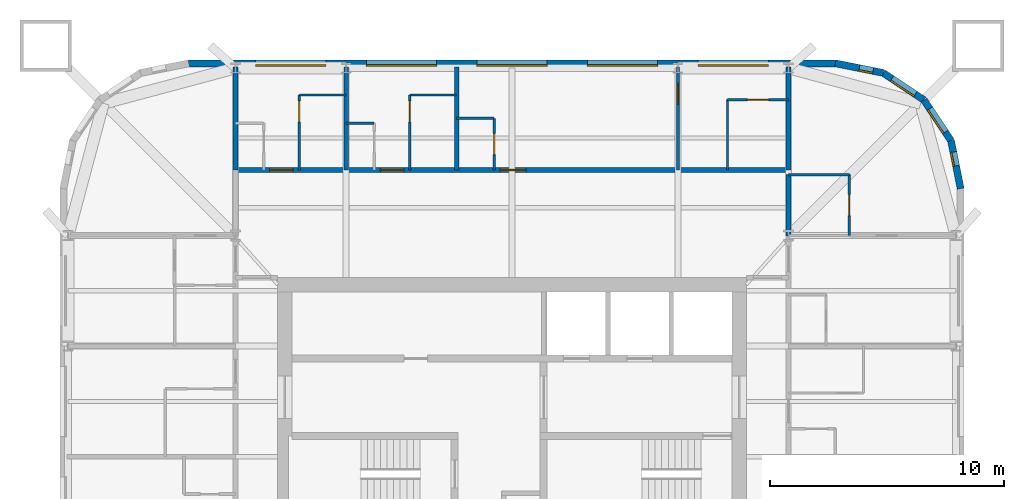
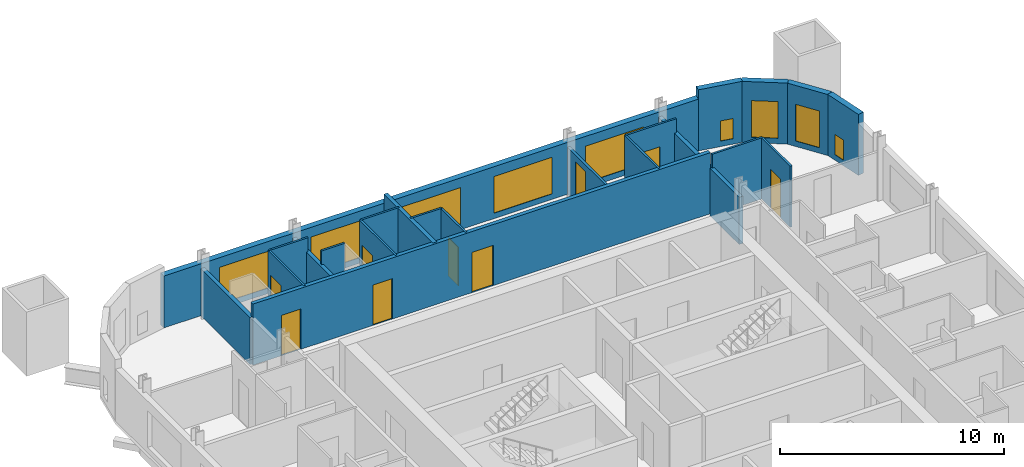
# One storey, part 7 of 9: 23 walls, 9 doors, 9 windows, 18 openings.
"""IFC4 building model written with IfcOpenShell, lengths in metres."""

from ifc_helpers import new_model, si_unit, direction, frame, frame_2d, origin, place, context, subcontext, project, spatial, rectangle, extrude, material, layer, layer_set, type_object, element, fill, save


model = new_model("IFC4")

# Units and contexts
model_context = context("Model", 3, precision=1e-05, world=origin(), true_north=direction((0.0, 1.0)))
body_context = subcontext(model_context, "Body", "Model", "MODEL_VIEW")
ifc_project = project(units=[si_unit("LENGTHUNIT", "METRE"), si_unit("AREAUNIT", "SQUARE_METRE"), si_unit("VOLUMEUNIT", "CUBIC_METRE"), si_unit("PLANEANGLEUNIT", "RADIAN"), si_unit("MASSUNIT", "GRAM", prefix="KILO")], contexts=[model_context])

# Site, building, storey
site_placement = place(None, origin())
site = spatial("IfcSite", under=ifc_project, at=site_placement, CompositionType="ELEMENT")
building_placement = place(site_placement, origin())
building = spatial("IfcBuilding", under=site, at=building_placement, Name="Turquesa Mirador Hotel Tower", CompositionType="ELEMENT")
storey_placement = place(building_placement, frame((0.0, 0.0, 210.800048828125)))
storey = spatial("IfcBuildingStorey", under=building, at=storey_placement, Name="L57", CompositionType="ELEMENT", Elevation=210.800048828125)

# Walls
ifc_material_1 = material(Name="Gypsum board on steel studs", Category="steel")
ifc_layer_1 = layer(ifc_material_1, 0.10009765625)
ifc_layer_set_1 = layer_set([ifc_layer_1], Name="BATHROOM WALL 100")
wall_type_1 = type_object("IfcWallType", Name="BATHROOM WALL 100", PredefinedType="PARTITIONING", material=ifc_layer_set_1)
wall_1_placement = place(storey_placement, frame((66.800048828125, 59.39990234375, 0.0), z_axis=(0.0, 0.0, 1.0), x_axis=(1.0, 0.0, 0.0)))
element("IfcWall", 1, at=wall_1_placement, inside=storey, type_object=wall_type_1, Name="Partition L57 027", PredefinedType="PARTITIONING", context=body_context, shape_type="SweptSolid", body=[
    extrude(rectangle(XDim=2.599853515625, YDim=0.10009765625, at=frame_2d((1.2998046875, 0.0))), origin(), (0.0, 0.0, 1.0), 3.329833984375),
])
wall_2_placement = place(storey_placement, frame((47.919921875, 61.60009765625, 0.0), z_axis=(0.0, 0.0, 1.0), x_axis=(1.0, 0.0, 0.0)))
element("IfcWall", 2, at=wall_2_placement, inside=storey, type_object=wall_type_1, Name="Partition L57 030", PredefinedType="PARTITIONING", context=body_context, shape_type="SweptSolid", body=[
    extrude(rectangle(XDim=1.2001953125, YDim=0.10009765625, at=frame_2d((0.60009765625, 0.0))), origin(), (0.0, 0.0, 1.0), 3.329833984375),
])
wall_3_placement = place(storey_placement, frame((52.639892578125, 61.800048828125, 0.0), z_axis=(0.0, 0.0, 1.0), x_axis=(1.0, 0.0, 0.0)))
element("IfcWall", 3, at=wall_3_placement, inside=storey, type_object=wall_type_1, Name="Partition L57 031", PredefinedType="PARTITIONING", context=body_context, shape_type="SweptSolid", body=[
    extrude(rectangle(XDim=1.60009765625, YDim=0.10009765625, at=frame_2d((0.800048828125, 0.0))), origin(), (0.0, 0.0, 1.0), 3.329833984375),
])

# Wall, opening, door
wall_4_placement = place(storey_placement, frame((64.199951171875, 62.60009765625, 0.0), z_axis=(0.0, 0.0, 1.0), x_axis=(1.0, 0.0, 0.0)))
wall_4 = element("IfcWall", 4, at=wall_4_placement, inside=storey, type_object=wall_type_1, Name="Partition L57 032", PredefinedType="PARTITIONING", context=body_context, shape_type="SweptSolid", body=[
    extrude(rectangle(XDim=2.60009765625, YDim=0.10009765625, at=frame_2d((1.300048828125, 0.0))), origin(), (0.0, 0.0, 1.0), 3.329833984375),
])
opening_1_placement = place(wall_4_placement, frame((0.85009765625, 0.0, 0.0)))
opening_1 = element("IfcOpeningElement", 5, at=opening_1_placement, cuts=wall_4, Name="Opening D02", PredefinedType="OPENING", context=body_context, shape_type="SweptSolid", body=[
    extrude(rectangle(XDim=0.89990234375, YDim=2.10009765625, at=frame_2d((0.449951171875, 1.050048828125))), frame((0.0, 0.06005859375, 0.0), z_axis=(0.0, -1.0, 0.0), x_axis=(1.0, 0.0, 0.0)), (0.0, 0.0, 1.0), 0.1201171875),
])
ifc_material_2 = material(Name="Timber veneered door", Category="wood")
door_type_1 = type_object("IfcDoorType", Name="DOOR 900X2100 EN-SUITE", OperationType="SINGLE_SWING_RIGHT", PredefinedType="DOOR", material=ifc_material_2)
door_1_placement = place(opening_1_placement, origin())
door_1 = element("IfcDoor", 6, at=door_1_placement, inside=storey, type_object=door_type_1, Name="Door 5703B", OperationType="SINGLE_SWING_RIGHT", OverallHeight=2.10009765625, OverallWidth=0.89990234375, PredefinedType="DOOR", context=body_context, shape_type="SweptSolid", body=[
    extrude(rectangle(XDim=0.89990234375, YDim=2.10009765625, at=frame_2d((0.449951171875, 1.050048828125))), frame((0.0, 0.02490234375, 0.0), z_axis=(0.0, -1.0, 0.0), x_axis=(1.0, 0.0, 0.0)), (0.0, 0.0, 1.0), 0.050048828125),
])
fill(opening_1, door_1)

# Walls
for number, where, z_axis, x_axis, name in (
    (7, (45.919921875, 62.800048828125, 0.0), (0.0, 0.0, 1.0), (1.0, 0.0, 0.0), "Partition L57 033"),
    (8, (50.639892578125, 62.800048828125, 0.0), (0.0, 0.0, 1.0), (1.0, 0.0, 0.0), "Partition L57 034"),
):
    element("IfcWall", number, at=place(storey_placement, frame(where, z_axis=z_axis, x_axis=x_axis)), inside=storey, type_object=wall_type_1, Name=name, PredefinedType="PARTITIONING", context=body_context, shape_type="SweptSolid", body=[
        extrude(rectangle(XDim=2.0, YDim=0.10009765625, at=frame_2d((1.0, 0.0))), origin(), (0.0, 0.0, 1.0), 3.329833984375),
    ])

# Wall, opening, door
wall_5_placement = place(storey_placement, frame((54.239990234375, 59.60009765625, 0.0), z_axis=(0.0, 0.0, 1.0), x_axis=(0.0, 1.0, 0.0)))
wall_5 = element("IfcWall", 9, at=wall_5_placement, inside=storey, type_object=wall_type_1, Name="Partition L57 045", PredefinedType="PARTITIONING", context=body_context, shape_type="SweptSolid", body=[
    extrude(rectangle(XDim=2.199951171875, YDim=0.10009765625, at=frame_2d((1.10009765625, 0.0))), origin(), (0.0, 0.0, 1.0), 3.329833984375),
])
opening_2_placement = place(wall_5_placement, frame((0.64990234375, 0.0, 0.0)))
opening_2 = element("IfcOpeningElement", 10, at=opening_2_placement, cuts=wall_5, Name="Opening D06", PredefinedType="OPENING", context=body_context, shape_type="SweptSolid", body=[
    extrude(rectangle(XDim=0.89990234375, YDim=2.10009765625, at=frame_2d((0.449951171875, 1.050048828125))), frame((0.0, 0.06005859375, 0.0), z_axis=(0.0, -1.0, 0.0), x_axis=(1.0, 0.0, 0.0)), (0.0, 0.0, 1.0), 0.1201171875),
])
ifc_material_3 = material(Name="Laminate door", Category="wood")
door_type_2 = type_object("IfcDoorType", Name="DOOR 900X2100 WC", OperationType="SINGLE_SWING_LEFT", PredefinedType="DOOR", material=ifc_material_3)
door_2_placement = place(opening_2_placement, origin())
door_2 = element("IfcDoor", 11, at=door_2_placement, inside=storey, type_object=door_type_2, Name="Door 5703W", OperationType="SINGLE_SWING_LEFT", OverallHeight=2.10009765625, OverallWidth=0.89990234375, PredefinedType="DOOR", context=body_context, shape_type="SweptSolid", body=[
    extrude(rectangle(XDim=0.89990234375, YDim=2.10009765625, at=frame_2d((0.449951171875, 1.050048828125))), frame((0.0, 0.02490234375, 0.0), z_axis=(0.0, -1.0, 0.0), x_axis=(1.0, 0.0, 0.0)), (0.0, 0.0, 1.0), 0.050048828125),
])
fill(opening_2, door_2)

wall_6_placement = place(storey_placement, frame((50.639892578125, 59.60009765625, 0.0), z_axis=(0.0, 0.0, 1.0), x_axis=(0.0, 1.0, 0.0)))
wall_6 = element("IfcWall", 12, at=wall_6_placement, inside=storey, type_object=wall_type_1, Name="Partition L57 058", PredefinedType="PARTITIONING", context=body_context, shape_type="SweptSolid", body=[
    extrude(rectangle(XDim=3.199951171875, YDim=0.10009765625, at=frame_2d((1.60009765625, 0.0))), origin(), (0.0, 0.0, 1.0), 3.329833984375),
])
opening_3_placement = place(wall_6_placement, frame((2.050048828125, 0.0, 0.0)))
opening_3 = element("IfcOpeningElement", 13, at=opening_3_placement, cuts=wall_6, Name="Opening D02", PredefinedType="OPENING", context=body_context, shape_type="SweptSolid", body=[
    extrude(rectangle(XDim=0.89990234375, YDim=2.10009765625, at=frame_2d((0.449951171875, 1.050048828125))), frame((0.0, 0.06005859375, 0.0), z_axis=(0.0, -1.0, 0.0), x_axis=(1.0, 0.0, 0.0)), (0.0, 0.0, 1.0), 0.1201171875),
])
door_3_placement = place(opening_3_placement, origin())
door_3 = element("IfcDoor", 14, at=door_3_placement, inside=storey, type_object=door_type_1, Name="Door 5702B", OperationType="SINGLE_SWING_RIGHT", OverallHeight=2.10009765625, OverallWidth=0.89990234375, PredefinedType="DOOR", context=body_context, shape_type="SweptSolid", body=[
    extrude(rectangle(XDim=0.89990234375, YDim=2.10009765625, at=frame_2d((0.449951171875, 1.050048828125))), frame((0.0, 0.02490234375, 0.0), z_axis=(0.0, -1.0, 0.0), x_axis=(1.0, 0.0, 0.0)), (0.0, 0.0, 1.0), 0.050048828125),
])
fill(opening_3, door_3)

wall_7_placement = place(storey_placement, frame((45.919921875, 59.60009765625, 0.0), z_axis=(0.0, 0.0, 1.0), x_axis=(0.0, 1.0, 0.0)))
wall_7 = element("IfcWall", 15, at=wall_7_placement, inside=storey, type_object=wall_type_1, Name="Partition L57 063", PredefinedType="PARTITIONING", context=body_context, shape_type="SweptSolid", body=[
    extrude(rectangle(XDim=3.199951171875, YDim=0.10009765625, at=frame_2d((1.60009765625, 0.0))), origin(), (0.0, 0.0, 1.0), 3.329833984375),
])
opening_4_placement = place(wall_7_placement, frame((2.050048828125, 0.0, 0.0)))
opening_4 = element("IfcOpeningElement", 16, at=opening_4_placement, cuts=wall_7, Name="Opening D02", PredefinedType="OPENING", context=body_context, shape_type="SweptSolid", body=[
    extrude(rectangle(XDim=0.89990234375, YDim=2.10009765625, at=frame_2d((0.449951171875, 1.050048828125))), frame((0.0, 0.06005859375, 0.0), z_axis=(0.0, -1.0, 0.0), x_axis=(1.0, 0.0, 0.0)), (0.0, 0.0, 1.0), 0.1201171875),
])
door_4_placement = place(opening_4_placement, origin())
door_4 = element("IfcDoor", 17, at=door_4_placement, inside=storey, type_object=door_type_1, Name="Door 5701B", OperationType="SINGLE_SWING_RIGHT", OverallHeight=2.10009765625, OverallWidth=0.89990234375, PredefinedType="DOOR", context=body_context, shape_type="SweptSolid", body=[
    extrude(rectangle(XDim=0.89990234375, YDim=2.10009765625, at=frame_2d((0.449951171875, 1.050048828125))), frame((0.0, 0.02490234375, 0.0), z_axis=(0.0, -1.0, 0.0), x_axis=(1.0, 0.0, 0.0)), (0.0, 0.0, 1.0), 0.050048828125),
])
fill(opening_4, door_4)

wall_8_placement = place(storey_placement, frame((69.39990234375, 56.800048828125, 0.0), z_axis=(0.0, 0.0, 1.0), x_axis=(0.0, 1.0, 0.0)))
wall_8 = element("IfcWall", 18, at=wall_8_placement, inside=storey, type_object=wall_type_1, Name="Partition L57 075", PredefinedType="PARTITIONING", context=body_context, shape_type="SweptSolid", body=[
    extrude(rectangle(XDim=2.599853515625, YDim=0.10009765625, at=frame_2d((1.2998046875, 0.0))), origin(), (0.0, 0.0, 1.0), 3.329833984375),
])
opening_5_placement = place(wall_8_placement, frame((0.85009765625, 0.0, 0.0)))
opening_5 = element("IfcOpeningElement", 19, at=opening_5_placement, cuts=wall_8, Name="Opening D02", PredefinedType="OPENING", context=body_context, shape_type="SweptSolid", body=[
    extrude(rectangle(XDim=0.89990234375, YDim=2.10009765625, at=frame_2d((0.449951171875, 1.050048828125))), frame((0.0, 0.06005859375, 0.0), z_axis=(0.0, -1.0, 0.0), x_axis=(1.0, 0.0, 0.0)), (0.0, 0.0, 1.0), 0.1201171875),
])
door_5_placement = place(opening_5_placement, origin())
door_5 = element("IfcDoor", 20, at=door_5_placement, inside=storey, type_object=door_type_1, Name="Door 5712B", OperationType="SINGLE_SWING_RIGHT", OverallHeight=2.10009765625, OverallWidth=0.89990234375, PredefinedType="DOOR", context=body_context, shape_type="SweptSolid", body=[
    extrude(rectangle(XDim=0.89990234375, YDim=2.10009765625, at=frame_2d((0.449951171875, 1.050048828125))), frame((0.0, 0.02490234375, 0.0), z_axis=(0.0, -1.0, 0.0), x_axis=(1.0, 0.0, 0.0)), (0.0, 0.0, 1.0), 0.050048828125),
])
fill(opening_5, door_5)

# Wall
wall_9_placement = place(storey_placement, frame((64.199951171875, 59.60009765625, 0.0), z_axis=(0.0, 0.0, 1.0), x_axis=(0.0, 1.0, 0.0)))
element("IfcWall", 21, at=wall_9_placement, inside=storey, type_object=wall_type_1, Name="Partition L57 084", PredefinedType="PARTITIONING", context=body_context, shape_type="SweptSolid", body=[
    extrude(rectangle(XDim=3.0, YDim=0.10009765625, at=frame_2d((1.5, 0.0))), origin(), (0.0, 0.0, 1.0), 3.329833984375),
])

# Wall, openings, doors
ifc_material_4 = material(Name="Fire-rated gypsum board on steel studs", Category="steel")
ifc_layer_2 = layer(ifc_material_4, 0.199951171875)
ifc_layer_set_2 = layer_set([ifc_layer_2], Name="CORRIDOR WALL 200")
wall_type_2 = type_object("IfcWallType", Name="CORRIDOR WALL 200", PredefinedType="PARTITIONING", material=ifc_layer_set_2)
wall_10_placement = place(storey_placement, frame((43.199951171875, 59.60009765625, 0.0), z_axis=(0.0, 0.0, 1.0), x_axis=(1.0, 0.0, 0.0)))
wall_10 = element("IfcWall", 22, at=wall_10_placement, inside=storey, type_object=wall_type_2, Name="Partition L57 028", PredefinedType="PARTITIONING", context=body_context, shape_type="SweptSolid", body=[
    extrude(rectangle(XDim=23.60009765625, YDim=0.199951171875, at=frame_2d((11.800048828125, 0.0))), origin(), (0.0, 0.0, 1.0), 3.329833984375),
])
opening_6_placement = place(wall_10_placement, frame((1.4599609375, 0.0, 0.0)))
opening_6 = element("IfcOpeningElement", 23, at=opening_6_placement, cuts=wall_10, Name="Opening D01", PredefinedType="OPENING", context=body_context, shape_type="SweptSolid", body=[
    extrude(rectangle(XDim=1.0, YDim=2.199951171875, at=frame_2d((0.5, 1.10009765625))), frame((0.0, 0.10986328125, 0.0), z_axis=(0.0, -1.0, 0.0), x_axis=(1.0, 0.0, 0.0)), (0.0, 0.0, 1.0), 0.219970703125),
])
opening_7_placement = place(wall_10_placement, frame((6.179931640625, 0.0, 0.0)))
opening_7 = element("IfcOpeningElement", 24, at=opening_7_placement, cuts=wall_10, Name="Opening D01", PredefinedType="OPENING", context=body_context, shape_type="SweptSolid", body=[
    extrude(rectangle(XDim=1.0, YDim=2.199951171875, at=frame_2d((0.5, 1.10009765625))), frame((0.0, 0.10986328125, 0.0), z_axis=(0.0, -1.0, 0.0), x_axis=(1.0, 0.0, 0.0)), (0.0, 0.0, 1.0), 0.219970703125),
])
opening_8_placement = place(wall_10_placement, frame((11.2900390625, 0.0, 0.0)))
opening_8 = element("IfcOpeningElement", 25, at=opening_8_placement, cuts=wall_10, Name="Opening D15", PredefinedType="OPENING", context=body_context, shape_type="SweptSolid", body=[
    extrude(rectangle(XDim=1.10009765625, YDim=2.199951171875, at=frame_2d((0.550048828125, 1.10009765625))), frame((0.0, 0.10986328125, 0.0), z_axis=(0.0, -1.0, 0.0), x_axis=(1.0, 0.0, 0.0)), (0.0, 0.0, 1.0), 0.219970703125),
])
ifc_material_5 = material(Name="Timber veneered fire door", Category="wood")
door_type_3 = type_object("IfcDoorType", Name="DOOR 1000X2200 GUEST ENTRY", OperationType="SINGLE_SWING_LEFT", PredefinedType="DOOR", material=ifc_material_5)
door_6_placement = place(opening_6_placement, origin())
door_6 = element("IfcDoor", 26, at=door_6_placement, inside=storey, type_object=door_type_3, Name="Door 5701", OperationType="SINGLE_SWING_LEFT", OverallHeight=2.199951171875, OverallWidth=1.0, PredefinedType="DOOR", context=body_context, shape_type="SweptSolid", body=[
    extrude(rectangle(XDim=1.0, YDim=2.199951171875, at=frame_2d((0.5, 1.10009765625))), frame((0.0, 0.02490234375, 0.0), z_axis=(0.0, -1.0, 0.0), x_axis=(1.0, 0.0, 0.0)), (0.0, 0.0, 1.0), 0.050048828125),
])
fill(opening_6, door_6)
door_7_placement = place(opening_7_placement, origin())
door_7 = element("IfcDoor", 27, at=door_7_placement, inside=storey, type_object=door_type_3, Name="Door 5702", OperationType="SINGLE_SWING_LEFT", OverallHeight=2.199951171875, OverallWidth=1.0, PredefinedType="DOOR", context=body_context, shape_type="SweptSolid", body=[
    extrude(rectangle(XDim=1.0, YDim=2.199951171875, at=frame_2d((0.5, 1.10009765625))), frame((0.0, 0.02490234375, 0.0), z_axis=(0.0, -1.0, 0.0), x_axis=(1.0, 0.0, 0.0)), (0.0, 0.0, 1.0), 0.050048828125),
])
fill(opening_7, door_7)
ifc_material_6 = material(Name="Timber veneered fire door", Category="wood")
door_type_4 = type_object("IfcDoorType", Name="DOOR 1100X2200 SUITE ENTRY", OperationType="SINGLE_SWING_LEFT", PredefinedType="DOOR", material=ifc_material_6)
door_8_placement = place(opening_8_placement, origin())
door_8 = element("IfcDoor", 28, at=door_8_placement, inside=storey, type_object=door_type_4, Name="Door 5703", OperationType="SINGLE_SWING_LEFT", OverallHeight=2.199951171875, OverallWidth=1.10009765625, PredefinedType="DOOR", context=body_context, shape_type="SweptSolid", body=[
    extrude(rectangle(XDim=1.10009765625, YDim=2.199951171875, at=frame_2d((0.550048828125, 1.10009765625))), frame((0.0, 0.02490234375, 0.0), z_axis=(0.0, -1.0, 0.0), x_axis=(1.0, 0.0, 0.0)), (0.0, 0.0, 1.0), 0.050048828125),
])
fill(opening_8, door_8)

# Wall
wall_11_placement = place(storey_placement, frame((66.800048828125, 56.780029296875, 0.0), z_axis=(0.0, 0.0, 1.0), x_axis=(0.0, 1.0, 0.0)))
element("IfcWall", 29, at=wall_11_placement, inside=storey, type_object=wall_type_2, Name="Partition L57 086", PredefinedType="PARTITIONING", context=body_context, shape_type="SweptSolid", body=[
    extrude(rectangle(XDim=2.619873046875, YDim=0.199951171875, at=frame_2d((1.31005859375, 0.0))), origin(), (0.0, 0.0, 1.0), 2.572998046875),
])

# Wall, opening, window
ifc_material_7 = material(Name="Limestone cladding on concrete block", Category="masonry")
ifc_layer_3 = layer(ifc_material_7, 0.300048828125)
ifc_layer_set_3 = layer_set([ifc_layer_3], Name="FACADE WALL 300 STONE SCREEN")
wall_type_3 = type_object("IfcWallType", Name="FACADE WALL 300 STONE SCREEN", PredefinedType="SOLIDWALL", material=ifc_layer_set_3)
wall_12_placement = place(storey_placement, frame((74.14990234375, 58.800048828125, 0.0), z_axis=(0.0, 0.0, 1.0), x_axis=(-0.195081421501, 0.980787050784, 0.0)))
wall_12 = element("IfcWall", 30, at=wall_12_placement, inside=storey, type_object=wall_type_3, Name="Facade wall L57 05", PredefinedType="SOLIDWALL", context=body_context, shape_type="SweptSolid", body=[
    extrude(rectangle(XDim=2.08740234375, YDim=0.300048828125, at=frame_2d((1.043701171875, 0.0))), origin(), (0.0, 0.0, 1.0), 3.329833984375),
])
opening_9_placement = place(wall_12_placement, frame((0.99365234375, 0.0, 0.300048828125)))
opening_9 = element("IfcOpeningElement", 31, at=opening_9_placement, cuts=wall_12, Name="Opening WN12", PredefinedType="OPENING", context=body_context, shape_type="SweptSolid", body=[
    extrude(rectangle(XDim=0.60009765625, YDim=1.10009765625, at=frame_2d((0.300048828125, 0.550048828125))), frame((0.0, 0.159912109375, 0.0), z_axis=(0.0, -1.0, 0.0), x_axis=(1.0, 0.0, 0.0)), (0.0, 0.0, 1.0), 0.320068359375),
])
ifc_material_8 = material(Name="Ceramic-fritted laminated glass", Category="glass")
window_type_1 = type_object("IfcWindowType", Name="FRITTED CORNER WINDOW 600X1100", PartitioningType="DOUBLE_PANEL_HORIZONTAL", PredefinedType="WINDOW", material=ifc_material_8)
window_1_placement = place(opening_9_placement, origin())
window_1 = element("IfcWindow", 32, at=window_1_placement, inside=storey, type_object=window_type_1, Name="Window L57", OverallHeight=1.10009765625, OverallWidth=0.60009765625, PartitioningType="SINGLE_PANEL", PredefinedType="WINDOW", context=body_context, shape_type="SweptSolid", body=[
    extrude(rectangle(XDim=0.60009765625, YDim=1.10009765625, at=frame_2d((0.300048828125, 0.550048828125))), frame((0.0, 0.130126953125, 0.0), z_axis=(0.0, -1.0, 0.0), x_axis=(1.0, 0.0, 0.0)), (0.0, 0.0, 1.0), 0.06005859375),
])
fill(opening_9, window_1)

wall_13_placement = place(storey_placement, frame((73.74267578125, 60.847412109375, 0.0), z_axis=(0.0, 0.0, 1.0), x_axis=(-0.555563607591, 0.831474039234, 0.0)))
wall_13 = element("IfcWall", 33, at=wall_13_placement, inside=storey, type_object=wall_type_3, Name="Facade wall L57 06", PredefinedType="SOLIDWALL", context=body_context, shape_type="SweptSolid", body=[
    extrude(rectangle(XDim=2.08740234375, YDim=0.300048828125, at=frame_2d((1.043701171875, 0.0))), origin(), (0.0, 0.0, 1.0), 3.329833984375),
])
opening_10_placement = place(wall_13_placement, frame((0.443603515625, 0.0, 0.300048828125)))
opening_10 = element("IfcOpeningElement", 34, at=opening_10_placement, cuts=wall_13, Name="Opening WN4", PredefinedType="OPENING", context=body_context, shape_type="SweptSolid", body=[
    extrude(rectangle(XDim=1.199951171875, YDim=2.0, at=frame_2d((0.60009765625, 1.0))), frame((0.0, 0.159912109375, 0.0), z_axis=(0.0, -1.0, 0.0), x_axis=(1.0, 0.0, 0.0)), (0.0, 0.0, 1.0), 0.320068359375),
])
ifc_material_9 = material(Name="Ceramic-fritted laminated glass", Category="glass")
window_type_2 = type_object("IfcWindowType", Name="FRITTED CORNER WINDOW 1200X2000", PartitioningType="DOUBLE_PANEL_HORIZONTAL", PredefinedType="WINDOW", material=ifc_material_9)
window_2_placement = place(opening_10_placement, origin())
window_2 = element("IfcWindow", 35, at=window_2_placement, inside=storey, type_object=window_type_2, Name="Window L57", OverallHeight=2.0, OverallWidth=1.199951171875, PartitioningType="SINGLE_PANEL", PredefinedType="WINDOW", context=body_context, shape_type="SweptSolid", body=[
    extrude(rectangle(XDim=1.199951171875, YDim=2.0, at=frame_2d((0.60009765625, 1.0))), frame((0.0, 0.130126953125, 0.0), z_axis=(0.0, -1.0, 0.0), x_axis=(1.0, 0.0, 0.0)), (0.0, 0.0, 1.0), 0.06005859375),
])
fill(opening_10, window_2)

wall_14_placement = place(storey_placement, frame((72.5830078125, 62.5830078125, 0.0), z_axis=(0.0, 0.0, 1.0), x_axis=(-0.831474039234, 0.555563607591, 0.0)))
wall_14 = element("IfcWall", 36, at=wall_14_placement, inside=storey, type_object=wall_type_3, Name="Facade wall L57 07", PredefinedType="SOLIDWALL", context=body_context, shape_type="SweptSolid", body=[
    extrude(rectangle(XDim=2.08740234375, YDim=0.300048828125, at=frame_2d((1.043701171875, 0.0))), origin(), (0.0, 0.0, 1.0), 3.329833984375),
])
opening_11_placement = place(wall_14_placement, frame((0.443603515625, 0.0, 0.300048828125)))
opening_11 = element("IfcOpeningElement", 37, at=opening_11_placement, cuts=wall_14, Name="Opening WN4", PredefinedType="OPENING", context=body_context, shape_type="SweptSolid", body=[
    extrude(rectangle(XDim=1.199951171875, YDim=2.0, at=frame_2d((0.60009765625, 1.0))), frame((0.0, 0.159912109375, 0.0), z_axis=(0.0, -1.0, 0.0), x_axis=(1.0, 0.0, 0.0)), (0.0, 0.0, 1.0), 0.320068359375),
])
window_3_placement = place(opening_11_placement, origin())
window_3 = element("IfcWindow", 38, at=window_3_placement, inside=storey, type_object=window_type_2, Name="Window L57", OverallHeight=2.0, OverallWidth=1.199951171875, PartitioningType="SINGLE_PANEL", PredefinedType="WINDOW", context=body_context, shape_type="SweptSolid", body=[
    extrude(rectangle(XDim=1.199951171875, YDim=2.0, at=frame_2d((0.60009765625, 1.0))), frame((0.0, 0.130126953125, 0.0), z_axis=(0.0, -1.0, 0.0), x_axis=(1.0, 0.0, 0.0)), (0.0, 0.0, 1.0), 0.06005859375),
])
fill(opening_11, window_3)

wall_15_placement = place(storey_placement, frame((70.847412109375, 63.74267578125, 0.0), z_axis=(0.0, 0.0, 1.0), x_axis=(-0.980787050784, 0.195081421501, 0.0)))
wall_15 = element("IfcWall", 39, at=wall_15_placement, inside=storey, type_object=wall_type_3, Name="Facade wall L57 08", PredefinedType="SOLIDWALL", context=body_context, shape_type="SweptSolid", body=[
    extrude(rectangle(XDim=2.08740234375, YDim=0.300048828125, at=frame_2d((1.043701171875, 0.0))), origin(), (0.0, 0.0, 1.0), 3.329833984375),
])
opening_12_placement = place(wall_15_placement, frame((0.443603515625, 0.0, 0.300048828125)))
opening_12 = element("IfcOpeningElement", 40, at=opening_12_placement, cuts=wall_15, Name="Opening WN12", PredefinedType="OPENING", context=body_context, shape_type="SweptSolid", body=[
    extrude(rectangle(XDim=0.60009765625, YDim=1.10009765625, at=frame_2d((0.300048828125, 0.550048828125))), frame((0.0, 0.159912109375, 0.0), z_axis=(0.0, -1.0, 0.0), x_axis=(1.0, 0.0, 0.0)), (0.0, 0.0, 1.0), 0.320068359375),
])
window_4_placement = place(opening_12_placement, origin())
window_4 = element("IfcWindow", 41, at=window_4_placement, inside=storey, type_object=window_type_1, Name="Window L57", OverallHeight=1.10009765625, OverallWidth=0.60009765625, PartitioningType="SINGLE_PANEL", PredefinedType="WINDOW", context=body_context, shape_type="SweptSolid", body=[
    extrude(rectangle(XDim=0.60009765625, YDim=1.10009765625, at=frame_2d((0.300048828125, 0.550048828125))), frame((0.0, 0.130126953125, 0.0), z_axis=(0.0, -1.0, 0.0), x_axis=(1.0, 0.0, 0.0)), (0.0, 0.0, 1.0), 0.06005859375),
])
fill(opening_12, window_4)

# Wall, openings, windows
wall_16_placement = place(storey_placement, frame((68.800048828125, 64.14990234375, 0.0), z_axis=(0.0, 0.0, 1.0), x_axis=(-1.0, 0.0, 0.0)))
wall_16 = element("IfcWall", 42, at=wall_16_placement, inside=storey, type_object=wall_type_3, Name="Facade wall L57 09", PredefinedType="SOLIDWALL", context=body_context, shape_type="SweptSolid", body=[
    extrude(rectangle(XDim=27.60009765625, YDim=0.300048828125, at=frame_2d((13.800048828125, 0.0))), origin(), (0.0, 0.0, 1.0), 2.829833984375),
])
opening_13_placement = place(wall_16_placement, frame((2.860107421875, 0.0, 0.300048828125)))
opening_13 = element("IfcOpeningElement", 43, at=opening_13_placement, cuts=wall_16, Name="Opening WN1", PredefinedType="OPENING", context=body_context, shape_type="SweptSolid", body=[
    extrude(rectangle(XDim=3.0, YDim=2.0, at=frame_2d((1.5, 1.0))), frame((0.0, 0.159912109375, 0.0), z_axis=(0.0, -1.0, 0.0), x_axis=(1.0, 0.0, 0.0)), (0.0, 0.0, 1.0), 0.320068359375),
])
opening_14_placement = place(wall_16_placement, frame((7.580078125, 0.0, 0.300048828125)))
opening_14 = element("IfcOpeningElement", 44, at=opening_14_placement, cuts=wall_16, Name="Opening WN1", PredefinedType="OPENING", context=body_context, shape_type="SweptSolid", body=[
    extrude(rectangle(XDim=3.0, YDim=2.0, at=frame_2d((1.5, 1.0))), frame((0.0, 0.159912109375, 0.0), z_axis=(0.0, -1.0, 0.0), x_axis=(1.0, 0.0, 0.0)), (0.0, 0.0, 1.0), 0.320068359375),
])
opening_15_placement = place(wall_16_placement, frame((12.300048828125, 0.0, 0.300048828125)))
opening_15 = element("IfcOpeningElement", 45, at=opening_15_placement, cuts=wall_16, Name="Opening WN1", PredefinedType="OPENING", context=body_context, shape_type="SweptSolid", body=[
    extrude(rectangle(XDim=3.0, YDim=2.0, at=frame_2d((1.5, 1.0))), frame((0.0, 0.159912109375, 0.0), z_axis=(0.0, -1.0, 0.0), x_axis=(1.0, 0.0, 0.0)), (0.0, 0.0, 1.0), 0.320068359375),
])
opening_16_placement = place(wall_16_placement, frame((17.02001953125, 0.0, 0.300048828125)))
opening_16 = element("IfcOpeningElement", 46, at=opening_16_placement, cuts=wall_16, Name="Opening WN1", PredefinedType="OPENING", context=body_context, shape_type="SweptSolid", body=[
    extrude(rectangle(XDim=3.0, YDim=2.0, at=frame_2d((1.5, 1.0))), frame((0.0, 0.159912109375, 0.0), z_axis=(0.0, -1.0, 0.0), x_axis=(1.0, 0.0, 0.0)), (0.0, 0.0, 1.0), 0.320068359375),
])
opening_17_placement = place(wall_16_placement, frame((21.739990234375, 0.0, 0.300048828125)))
opening_17 = element("IfcOpeningElement", 47, at=opening_17_placement, cuts=wall_16, Name="Opening WN1", PredefinedType="OPENING", context=body_context, shape_type="SweptSolid", body=[
    extrude(rectangle(XDim=3.0, YDim=2.0, at=frame_2d((1.5, 1.0))), frame((0.0, 0.159912109375, 0.0), z_axis=(0.0, -1.0, 0.0), x_axis=(1.0, 0.0, 0.0)), (0.0, 0.0, 1.0), 0.320068359375),
])
ifc_material_10 = material(Name="Ceramic-fritted laminated glass", Category="glass")
window_type_3 = type_object("IfcWindowType", Name="FRITTED WINDOW 3000X2000", PartitioningType="DOUBLE_PANEL_HORIZONTAL", PredefinedType="WINDOW", material=ifc_material_10)
window_5_placement = place(opening_13_placement, origin())
window_5 = element("IfcWindow", 48, at=window_5_placement, inside=storey, type_object=window_type_3, Name="Window L57", OverallHeight=2.0, OverallWidth=3.0, PartitioningType="SINGLE_PANEL", PredefinedType="WINDOW", context=body_context, shape_type="SweptSolid", body=[
    extrude(rectangle(XDim=3.0, YDim=2.0, at=frame_2d((1.5, 1.0))), frame((0.0, 0.130126953125, 0.0), z_axis=(0.0, -1.0, 0.0), x_axis=(1.0, 0.0, 0.0)), (0.0, 0.0, 1.0), 0.06005859375),
])
fill(opening_13, window_5)
window_6_placement = place(opening_14_placement, origin())
window_6 = element("IfcWindow", 49, at=window_6_placement, inside=storey, type_object=window_type_3, Name="Window L57", OverallHeight=2.0, OverallWidth=3.0, PartitioningType="SINGLE_PANEL", PredefinedType="WINDOW", context=body_context, shape_type="SweptSolid", body=[
    extrude(rectangle(XDim=3.0, YDim=2.0, at=frame_2d((1.5, 1.0))), frame((0.0, 0.130126953125, 0.0), z_axis=(0.0, -1.0, 0.0), x_axis=(1.0, 0.0, 0.0)), (0.0, 0.0, 1.0), 0.06005859375),
])
fill(opening_14, window_6)
window_7_placement = place(opening_15_placement, origin())
window_7 = element("IfcWindow", 50, at=window_7_placement, inside=storey, type_object=window_type_3, Name="Window L57", OverallHeight=2.0, OverallWidth=3.0, PartitioningType="SINGLE_PANEL", PredefinedType="WINDOW", context=body_context, shape_type="SweptSolid", body=[
    extrude(rectangle(XDim=3.0, YDim=2.0, at=frame_2d((1.5, 1.0))), frame((0.0, 0.130126953125, 0.0), z_axis=(0.0, -1.0, 0.0), x_axis=(1.0, 0.0, 0.0)), (0.0, 0.0, 1.0), 0.06005859375),
])
fill(opening_15, window_7)
window_8_placement = place(opening_16_placement, origin())
window_8 = element("IfcWindow", 51, at=window_8_placement, inside=storey, type_object=window_type_3, Name="Window L57", OverallHeight=2.0, OverallWidth=3.0, PartitioningType="SINGLE_PANEL", PredefinedType="WINDOW", context=body_context, shape_type="SweptSolid", body=[
    extrude(rectangle(XDim=3.0, YDim=2.0, at=frame_2d((1.5, 1.0))), frame((0.0, 0.130126953125, 0.0), z_axis=(0.0, -1.0, 0.0), x_axis=(1.0, 0.0, 0.0)), (0.0, 0.0, 1.0), 0.06005859375),
])
fill(opening_16, window_8)
window_9_placement = place(opening_17_placement, origin())
window_9 = element("IfcWindow", 52, at=window_9_placement, inside=storey, type_object=window_type_3, Name="Window L57", OverallHeight=2.0, OverallWidth=3.0, PartitioningType="SINGLE_PANEL", PredefinedType="WINDOW", context=body_context, shape_type="SweptSolid", body=[
    extrude(rectangle(XDim=3.0, YDim=2.0, at=frame_2d((1.5, 1.0))), frame((0.0, 0.130126953125, 0.0), z_axis=(0.0, -1.0, 0.0), x_axis=(1.0, 0.0, 0.0)), (0.0, 0.0, 1.0), 0.06005859375),
])
fill(opening_17, window_9)

# Walls
ifc_material_11 = material(Name="Fire-rated gypsum board on steel studs", Category="steel")
ifc_layer_4 = layer(ifc_material_11, 0.199951171875)
ifc_layer_set_4 = layer_set([ifc_layer_4], Name="PARTY WALL 200")
wall_type_4 = type_object("IfcWallType", Name="PARTY WALL 200", PredefinedType="PARTITIONING", material=ifc_layer_set_4)
wall_17_placement = place(storey_placement, frame((43.199951171875, 59.60009765625, 0.0), z_axis=(0.0, 0.0, 1.0), x_axis=(0.0, 1.0, 0.0)))
element("IfcWall", 53, at=wall_17_placement, inside=storey, type_object=wall_type_4, Name="Partition L57 049", PredefinedType="PARTITIONING", context=body_context, shape_type="SweptSolid", body=[
    extrude(rectangle(XDim=4.39990234375, YDim=0.199951171875, at=frame_2d((2.199951171875, 0.0))), origin(), (0.0, 0.0, 1.0), 2.572998046875),
])
wall_18_placement = place(storey_placement, frame((52.639892578125, 59.60009765625, 0.0), z_axis=(0.0, 0.0, 1.0), x_axis=(0.0, 1.0, 0.0)))
element("IfcWall", 54, at=wall_18_placement, inside=storey, type_object=wall_type_4, Name="Partition L57 057", PredefinedType="PARTITIONING", context=body_context, shape_type="SweptSolid", body=[
    extrude(rectangle(XDim=4.39990234375, YDim=0.199951171875, at=frame_2d((2.199951171875, 0.0))), origin(), (0.0, 0.0, 1.0), 3.329833984375),
])
for number, where, z_axis, x_axis, name in (
    (55, (47.919921875, 59.60009765625, 0.0), (0.0, 0.0, 1.0), (0.0, 1.0, 0.0), "Partition L57 062"),
    (56, (66.800048828125, 59.60009765625, 0.0), (0.0, 0.0, 1.0), (0.0, 1.0, 0.0), "Partition L57 068"),
):
    element("IfcWall", number, at=place(storey_placement, frame(where, z_axis=z_axis, x_axis=x_axis)), inside=storey, type_object=wall_type_4, Name=name, PredefinedType="PARTITIONING", context=body_context, shape_type="SweptSolid", body=[
        extrude(rectangle(XDim=4.39990234375, YDim=0.199951171875, at=frame_2d((2.199951171875, 0.0))), origin(), (0.0, 0.0, 1.0), 2.572998046875),
    ])

# Wall, opening, door
ifc_material_12 = material(Name="Acoustic gypsum board on steel studs", Category="steel")
ifc_layer_5 = layer(ifc_material_12, 0.125)
ifc_layer_set_5 = layer_set([ifc_layer_5], Name="SUITE PARTITION 125")
wall_type_5 = type_object("IfcWallType", Name="SUITE PARTITION 125", PredefinedType="PARTITIONING", material=ifc_layer_set_5)
wall_19_placement = place(storey_placement, frame((62.080078125, 59.60009765625, 0.0), z_axis=(0.0, 0.0, 1.0), x_axis=(0.0, 1.0, 0.0)))
wall_19 = element("IfcWall", 57, at=wall_19_placement, inside=storey, type_object=wall_type_5, Name="Partition L57 082", PredefinedType="PARTITIONING", context=body_context, shape_type="SweptSolid", body=[
    extrude(rectangle(XDim=4.39990234375, YDim=0.125, at=frame_2d((2.199951171875, 0.0))), origin(), (0.0, 0.0, 1.0), 2.572998046875),
])
opening_18_placement = place(wall_19_placement, frame((2.800048828125, 0.0, 0.0)))
opening_18 = element("IfcOpeningElement", 58, at=opening_18_placement, cuts=wall_19, Name="Opening D17", PredefinedType="OPENING", context=body_context, shape_type="SweptSolid", body=[
    extrude(rectangle(XDim=0.89990234375, YDim=2.199951171875, at=frame_2d((0.449951171875, 1.10009765625))), frame((0.0, 0.072509765625, 0.0), z_axis=(0.0, -1.0, 0.0), x_axis=(1.0, 0.0, 0.0)), (0.0, 0.0, 1.0), 0.14501953125),
])
ifc_material_13 = material(Name="Timber veneered door", Category="wood")
door_type_5 = type_object("IfcDoorType", Name="DOOR 900X2200 SUITE INTERNAL", OperationType="SINGLE_SWING_LEFT", PredefinedType="DOOR", material=ifc_material_13)
door_9_placement = place(opening_18_placement, origin())
door_9 = element("IfcDoor", 59, at=door_9_placement, inside=storey, type_object=door_type_5, Name="Door 5703R", OperationType="SINGLE_SWING_LEFT", OverallHeight=2.199951171875, OverallWidth=0.89990234375, PredefinedType="DOOR", context=body_context, shape_type="SweptSolid", body=[
    extrude(rectangle(XDim=0.89990234375, YDim=2.199951171875, at=frame_2d((0.449951171875, 1.10009765625))), frame((0.0, 0.02490234375, 0.0), z_axis=(0.0, -1.0, 0.0), x_axis=(1.0, 0.0, 0.0)), (0.0, 0.0, 1.0), 0.050048828125),
])
fill(opening_18, door_9)

save(model, "model.ifc")
